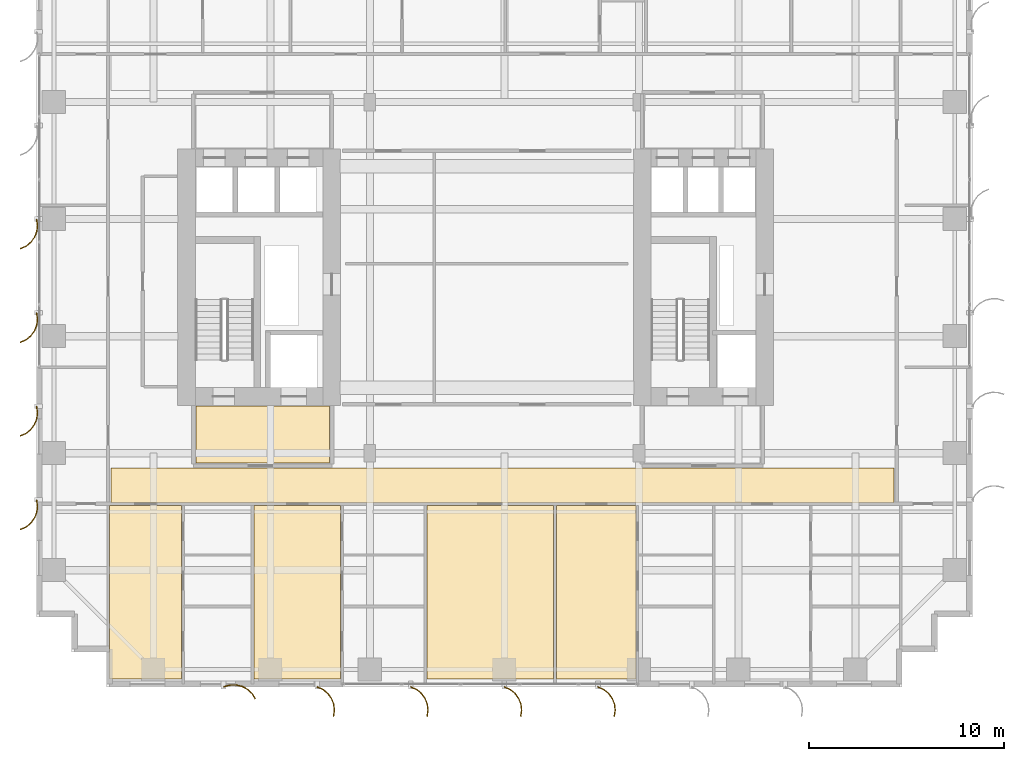
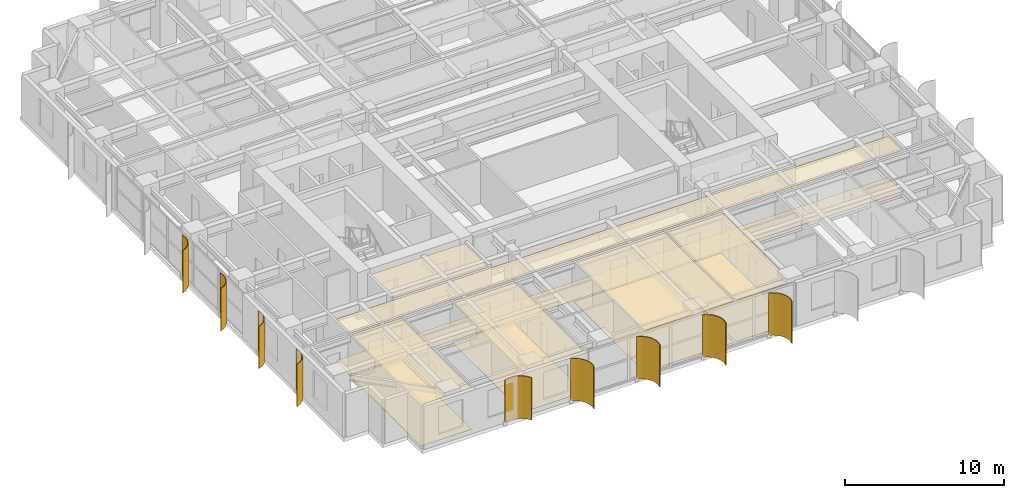
# One storey, part 20 of 23: 11 coverings, 9 shading devices.
"""IFC4 building model written with IfcOpenShell, lengths in metres."""

from ifc_helpers import new_model, si_unit, direction, frame, origin, place, context, subcontext, project, spatial, polyline, outline, extrude, source, transform, mapped, material, layer, layer_set, type_object, element, save


model = new_model("IFC4")

# Units and contexts
model_context = context("Model", 3, precision=1e-05, world=origin(), true_north=direction((0.0, 1.0)))
body_context = subcontext(model_context, "Body", "Model", "MODEL_VIEW")
ifc_project = project(units=[si_unit("LENGTHUNIT", "METRE"), si_unit("AREAUNIT", "SQUARE_METRE"), si_unit("VOLUMEUNIT", "CUBIC_METRE"), si_unit("PLANEANGLEUNIT", "RADIAN"), si_unit("MASSUNIT", "GRAM", prefix="KILO")], contexts=[model_context])

# Site, building, storey
site_placement = place(None, origin())
site = spatial("IfcSite", under=ifc_project, at=site_placement, CompositionType="ELEMENT")
building_placement = place(site_placement, origin())
building = spatial("IfcBuilding", under=site, at=building_placement, Name="Khoralis Quay Care Tower", CompositionType="ELEMENT")
storey_placement = place(building_placement, frame((0.0, 0.0, 33.300048828125)))
storey = spatial("IfcBuildingStorey", under=building, at=storey_placement, Name="L08", CompositionType="ELEMENT", Elevation=33.300048828125)

# Coverings
ifc_material_1 = material(Name="Mineral-fibre acoustic ceiling tile")
ifc_layer_1 = layer(ifc_material_1, 0.01806640625)
ifc_layer_set_1 = layer_set([ifc_layer_1], Name="Mineral-fibre acoustic ceiling tile")
covering_type_1 = type_object("IfcCoveringType", Name="COV-CEIL-AC18", PredefinedType="CEILING", material=ifc_layer_set_1)
covering_1_placement = place(storey_placement, frame((0.0, 0.0, 3.171875)))
element("IfcCovering", 1, at=covering_1_placement, inside=storey, type_object=covering_type_1, Name="Suspended Acoustic Ceiling SP-L08-FFLOB-W", PredefinedType="CEILING", context=body_context, shape_type="SweptSolid", body=[
    extrude(outline(polyline([(8.179931640625, 11.47998046875), (15.02001953125, 11.47998046875), (15.02001953125, 14.39990234375), (8.179931640625, 14.39990234375), (8.179931640625, 11.47998046875)])), origin(), (0.0, 0.0, 1.0), 0.01806640625),
])
covering_2_placement = place(storey_placement, frame((0.0, 0.0, 3.171875)))
element("IfcCovering", 2, at=covering_2_placement, inside=storey, type_object=covering_type_1, Name="Suspended Acoustic Ceiling SP-L08-CORR-S", PredefinedType="CEILING", context=body_context, shape_type="SweptSolid", body=[
    extrude(outline(polyline([(3.820068359375, 9.43994140625), (43.97998046875, 9.43994140625), (43.97998046875, 11.239990234375), (3.820068359375, 11.239990234375), (3.820068359375, 9.43994140625)])), origin(), (0.0, 0.0, 1.0), 0.01806640625),
])
covering_3_placement = place(storey_placement, frame((0.0, 0.0, 3.171875)))
element("IfcCovering", 3, at=covering_3_placement, inside=storey, type_object=covering_type_1, Name="Suspended Acoustic Ceiling SP-L08-SB-LIV0", PredefinedType="CEILING", context=body_context, shape_type="SweptSolid", body=[
    extrude(outline(polyline([(3.760009765625, 0.419921875), (7.447998046875, 0.419921875), (7.447998046875, 9.320068359375), (3.760009765625, 9.320068359375), (3.760009765625, 0.419921875)])), origin(), (0.0, 0.0, 1.0), 0.01806640625),
])
covering_4_placement = place(storey_placement, frame((0.0, 0.0, 3.171875)))
element("IfcCovering", 4, at=covering_4_placement, inside=storey, type_object=covering_type_1, Name="Suspended Acoustic Ceiling SP-L08-SB-LIV1", PredefinedType="CEILING", context=body_context, shape_type="SweptSolid", body=[
    extrude(outline(polyline([(11.159912109375, 0.419921875), (15.60693359375, 0.419921875), (15.60693359375, 9.320068359375), (11.159912109375, 9.320068359375), (11.159912109375, 0.419921875)])), origin(), (0.0, 0.0, 1.0), 0.01806640625),
])
covering_5_placement = place(storey_placement, frame((0.0, 0.0, 3.171875)))
element("IfcCovering", 5, at=covering_5_placement, inside=storey, type_object=covering_type_1, Name="Suspended Acoustic Ceiling SP-L08-SB-COM2", PredefinedType="CEILING", context=body_context, shape_type="SweptSolid", body=[
    extrude(outline(polyline([(20.02001953125, 0.419921875), (26.52001953125, 0.419921875), (26.52001953125, 9.320068359375), (20.02001953125, 9.320068359375), (20.02001953125, 0.419921875)])), origin(), (0.0, 0.0, 1.0), 0.01806640625),
])
covering_6_placement = place(storey_placement, frame((0.0, 0.0, 3.171875)))
element("IfcCovering", 6, at=covering_6_placement, inside=storey, type_object=covering_type_1, Name="Suspended Acoustic Ceiling SP-L08-SB-LIV3", PredefinedType="CEILING", context=body_context, shape_type="SweptSolid", body=[
    extrude(outline(polyline([(26.679931640625, 0.419921875), (30.748046875, 0.419921875), (30.748046875, 9.320068359375), (26.679931640625, 9.320068359375), (26.679931640625, 0.419921875)])), origin(), (0.0, 0.0, 1.0), 0.01806640625),
])
ifc_material_2 = material(Name="Porcelain and non-slip vinyl flooring")
ifc_layer_2 = layer(ifc_material_2, 0.02001953125)
ifc_layer_set_2 = layer_set([ifc_layer_2], Name="Porcelain and non-slip vinyl flooring")
covering_type_2 = type_object("IfcCoveringType", Name="COV-FLOOR-20", PredefinedType="FLOORING", material=ifc_layer_set_2)
covering_7_placement = place(storey_placement, origin())
element("IfcCovering", 7, at=covering_7_placement, inside=storey, type_object=covering_type_2, Name="Resilient Healthcare Flooring SP-L08-CORR-S", PredefinedType="FLOORING", context=body_context, shape_type="SweptSolid", body=[
    extrude(outline(polyline([(3.820068359375, 9.43994140625), (43.97998046875, 9.43994140625), (43.97998046875, 11.239990234375), (3.820068359375, 11.239990234375), (3.820068359375, 9.43994140625)])), origin(), (0.0, 0.0, 1.0), 0.02001953125),
])
covering_8_placement = place(storey_placement, origin())
element("IfcCovering", 8, at=covering_8_placement, inside=storey, type_object=covering_type_2, Name="Resilient Healthcare Flooring SP-L08-SB-LIV0", PredefinedType="FLOORING", context=body_context, shape_type="SweptSolid", body=[
    extrude(outline(polyline([(3.760009765625, 0.419921875), (7.447998046875, 0.419921875), (7.447998046875, 9.320068359375), (3.760009765625, 9.320068359375), (3.760009765625, 0.419921875)])), origin(), (0.0, 0.0, 1.0), 0.02001953125),
])
covering_9_placement = place(storey_placement, origin())
element("IfcCovering", 9, at=covering_9_placement, inside=storey, type_object=covering_type_2, Name="Resilient Healthcare Flooring SP-L08-SB-LIV1", PredefinedType="FLOORING", context=body_context, shape_type="SweptSolid", body=[
    extrude(outline(polyline([(11.159912109375, 0.419921875), (15.60693359375, 0.419921875), (15.60693359375, 9.320068359375), (11.159912109375, 9.320068359375), (11.159912109375, 0.419921875)])), origin(), (0.0, 0.0, 1.0), 0.02001953125),
])
covering_10_placement = place(storey_placement, origin())
element("IfcCovering", 10, at=covering_10_placement, inside=storey, type_object=covering_type_2, Name="Resilient Healthcare Flooring SP-L08-SB-COM2", PredefinedType="FLOORING", context=body_context, shape_type="SweptSolid", body=[
    extrude(outline(polyline([(20.02001953125, 0.419921875), (26.52001953125, 0.419921875), (26.52001953125, 9.320068359375), (20.02001953125, 9.320068359375), (20.02001953125, 0.419921875)])), origin(), (0.0, 0.0, 1.0), 0.02001953125),
])
covering_11_placement = place(storey_placement, origin())
element("IfcCovering", 11, at=covering_11_placement, inside=storey, type_object=covering_type_2, Name="Resilient Healthcare Flooring SP-L08-SB-LIV3", PredefinedType="FLOORING", context=body_context, shape_type="SweptSolid", body=[
    extrude(outline(polyline([(26.679931640625, 0.419921875), (30.748046875, 0.419921875), (30.748046875, 9.320068359375), (26.679931640625, 9.320068359375), (26.679931640625, 0.419921875)])), origin(), (0.0, 0.0, 1.0), 0.02001953125),
])

# Shading devices
ifc_material_3 = material(Name="Brushed pale anodised aluminium", Category="aluminium")
ifc_layer_3 = layer(ifc_material_3, 0.044921875)
ifc_layer_set_3 = layer_set([ifc_layer_3], Name="Brushed pale anodised aluminium")
shading_device_type = type_object("IfcShadingDeviceType", Name="SHD-FIN-1250", PredefinedType="USERDEFINED", material=ifc_layer_set_3)
shared_shape_1 = source(origin(), body_context, "Body", "SweptSolid", [
    extrude(outline(polyline([(0.0, 0.0), (0.130126953125, 0.29931640625), (0.333251953125, 0.5546875), (0.595458984375, 0.748779296875), (0.899169921875, 0.868408203125), (1.223388671875, 0.9052734375), (1.546142578125, 0.85693359375), (1.53369140625, 0.813720703125), (1.22265625, 0.8603515625), (0.91015625, 0.82470703125), (0.617431640625, 0.70947265625), (0.364501953125, 0.522216796875), (0.168701171875, 0.276123046875), (0.043212890625, -0.012451171875), (0.0, 0.0)])), origin(), (0.0, 0.0, 1.0), 3.260009765625),
])
for number, where, z_axis, x_axis, name in (
    (12, (14.39990234375, 0.030029296875, 0.02001953125), (0.0, 0.0, 1.0), (0.0, -1.0, 0.0), "L08 Curved Solar Fin P1E0-02"),
    (13, (19.199951171875, 0.030029296875, 0.02001953125), (0.0, 0.0, 1.0), (0.0, -1.0, 0.0), "L08 Curved Solar Fin P1E0-03"),
    (14, (24.0, 0.030029296875, 0.02001953125), (0.0, 0.0, 1.0), (0.0, -1.0, 0.0), "L08 Curved Solar Fin P1E0-04"),
    (15, (28.800048828125, 0.030029296875, 0.02001953125), (0.0, 0.0, 1.0), (0.0, -1.0, 0.0), "L08 Curved Solar Fin P1E0-05"),
):
    element("IfcShadingDevice", number, at=place(storey_placement, frame(where, z_axis=z_axis, x_axis=x_axis)), inside=storey, type_object=shading_device_type, Name=name, ObjectType="FIN", PredefinedType="USERDEFINED", context=body_context, shape_type="MappedRepresentation", body=[
        mapped(shared_shape_1, transform((0.0, 0.0, 0.0), scale=1.0)),
    ])
shared_shape_2 = source(origin(), body_context, "Body", "SweptSolid", [
    extrude(outline(polyline([(0.0, 0.0), (-0.04833984375, 0.32275390625), (-0.01123046875, 0.64697265625), (0.1083984375, 0.950439453125), (0.302490234375, 1.212890625), (0.557861328125, 1.416015625), (0.85693359375, 1.546142578125), (0.869384765625, 1.5029296875), (0.5810546875, 1.37744140625), (0.334716796875, 1.181640625), (0.147705078125, 0.9287109375), (0.032470703125, 0.635986328125), (-0.003173828125, 0.323486328125), (0.043212890625, 0.012451171875), (0.0, 0.0)])), origin(), (0.0, 0.0, 1.0), 3.260009765625),
])
for number, where, z_axis, x_axis, name in (
    (16, (0.030029296875, 24.0, 0.02001953125), (0.0, 0.0, 1.0), (-1.0, 0.0, 0.0), "L08 Curved Solar Fin P1E15-04"),
    (17, (0.030029296875, 19.199951171875, 0.02001953125), (0.0, 0.0, 1.0), (-1.0, 0.0, 0.0), "L08 Curved Solar Fin P1E15-05"),
    (18, (0.030029296875, 14.39990234375, 0.02001953125), (0.0, 0.0, 1.0), (-1.0, 0.0, 0.0), "L08 Curved Solar Fin P1E15-06"),
    (19, (0.030029296875, 9.60009765625, 0.02001953125), (0.0, 0.0, 1.0), (-1.0, 0.0, 0.0), "L08 Curved Solar Fin P1E15-07"),
):
    element("IfcShadingDevice", number, at=place(storey_placement, frame(where, z_axis=z_axis, x_axis=x_axis)), inside=storey, type_object=shading_device_type, Name=name, ObjectType="FIN", PredefinedType="USERDEFINED", context=body_context, shape_type="MappedRepresentation", body=[
        mapped(shared_shape_2, transform((0.0, 0.0, 0.0), scale=1.0)),
    ])
shared_shape_3 = source(origin(), body_context, "Body", "SweptSolid", [
    extrude(outline(polyline([(0.0, 0.0), (-0.0927734375, 0.31298828125), (-0.101318359375, 0.63916015625), (-0.025146484375, 0.956298828125), (0.130615234375, 1.2431640625), (0.355224609375, 1.479736328125), (0.633544921875, 1.650390625), (0.65185546875, 1.609130859375), (0.383544921875, 1.44482421875), (0.1669921875, 1.216796875), (0.01708984375, 0.940185546875), (-0.056396484375, 0.63427734375), (-0.04833984375, 0.31982421875), (0.041015625, 0.018310546875), (0.0, 0.0)])), origin(), (0.0, 0.0, 1.0), 3.260009765625),
])
shading_device_placement = place(storey_placement, frame((9.60009765625, 0.030029296875, 0.02001953125), z_axis=(0.0, 0.0, 1.0), x_axis=(0.0, -1.0, 0.0)))
element("IfcShadingDevice", 20, at=shading_device_placement, inside=storey, type_object=shading_device_type, Name="L08 Curved Solar Fin P1E0-01", ObjectType="FIN", PredefinedType="USERDEFINED", context=body_context, shape_type="MappedRepresentation", body=[
    mapped(shared_shape_3, transform((0.0, 0.0, 0.0), scale=1.0)),
])

save(model, "model.ifc")
